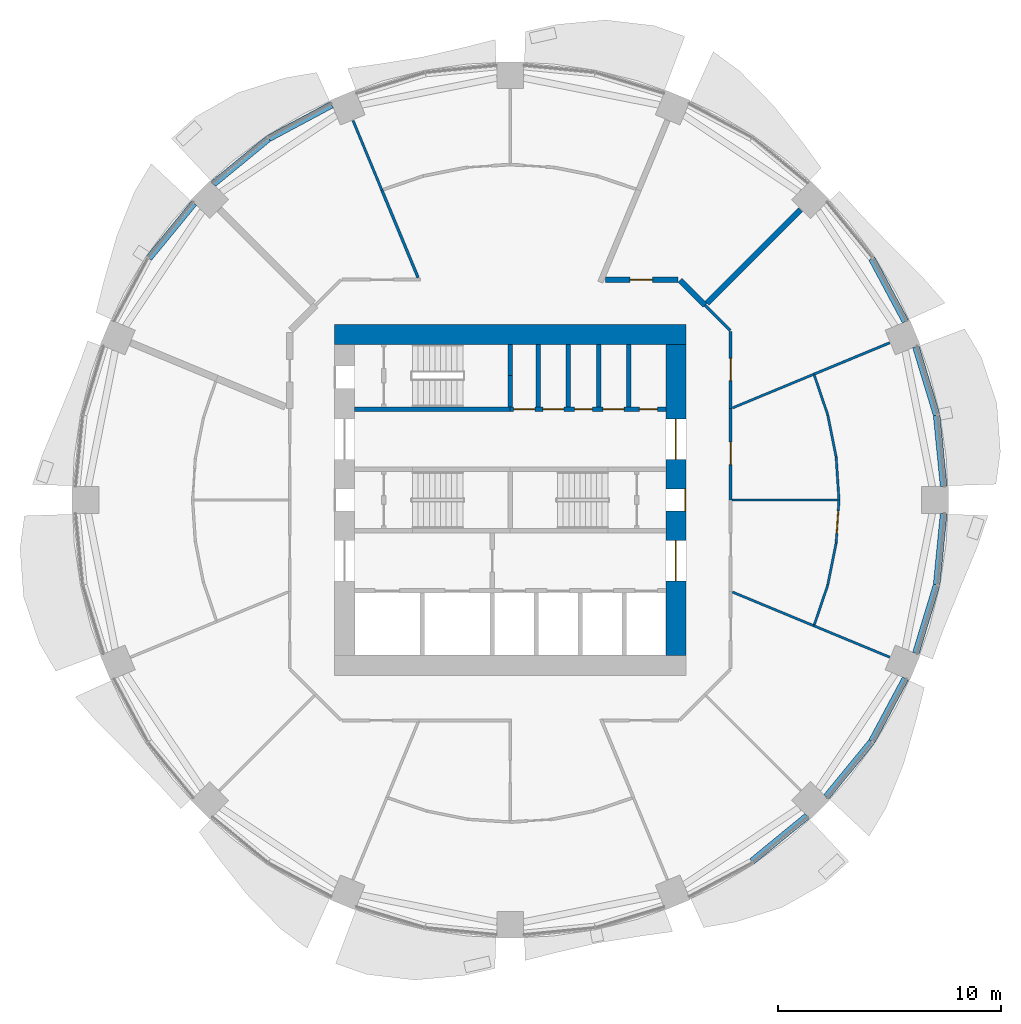
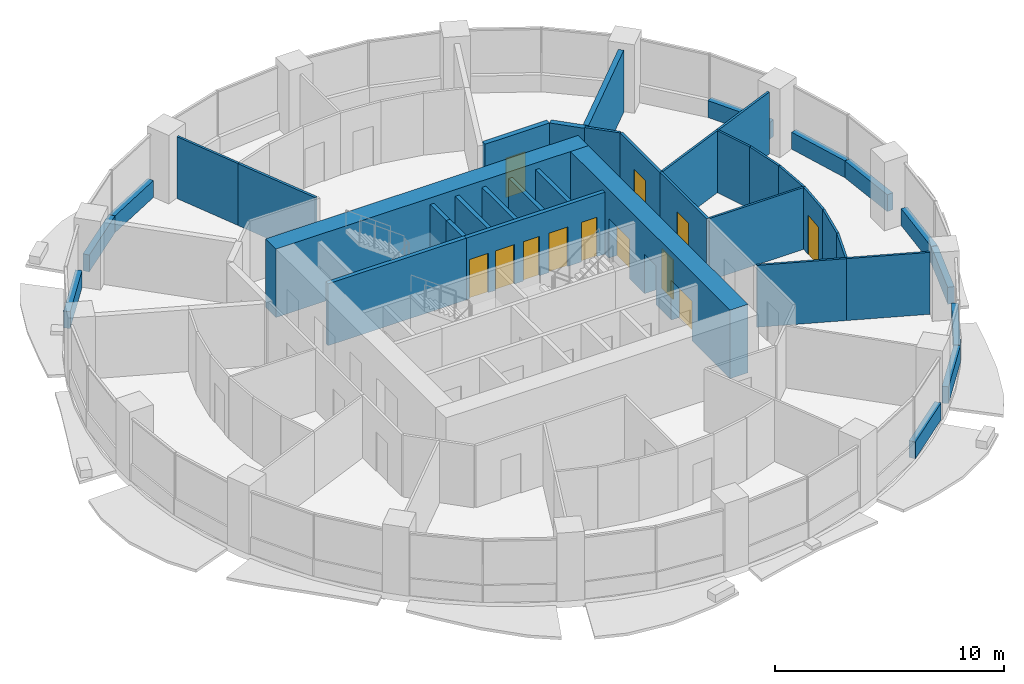
# One storey, part 10 of 15: 40 walls, 12 doors, 12 openings.
"""IFC4 building model written with IfcOpenShell, lengths in metres."""

from ifc_helpers import new_model, si_unit, direction, frame, frame_2d, origin, place, context, subcontext, project, spatial, rectangle, extrude, material, layer, layer_set, type_object, element, fill, save


model = new_model("IFC4")

# Units and contexts
model_context = context("Model", 3, precision=1e-05, world=origin(), true_north=direction((0.0, 1.0)))
body_context = subcontext(model_context, "Body", "Model", "MODEL_VIEW")
ifc_project = project(units=[si_unit("LENGTHUNIT", "METRE"), si_unit("AREAUNIT", "SQUARE_METRE"), si_unit("VOLUMEUNIT", "CUBIC_METRE"), si_unit("PLANEANGLEUNIT", "RADIAN"), si_unit("MASSUNIT", "GRAM", prefix="KILO")], contexts=[model_context])

# Site, building, storey
site_placement = place(None, origin())
site = spatial("IfcSite", under=ifc_project, at=site_placement, CompositionType="ELEMENT")
building_placement = place(site_placement, origin())
building = spatial("IfcBuilding", under=site, at=building_placement, Name="Polderwave Tower", CompositionType="ELEMENT")
storey_placement = place(building_placement, frame((0.0, 0.0, 51.75)))
storey = spatial("IfcBuildingStorey", under=building, at=storey_placement, Name="L13", CompositionType="ELEMENT", Elevation=51.75)

# Wall
ifc_material_1 = material(Name="Concrete C80/95", Category="concrete")
ifc_layer_1 = layer(ifc_material_1, 0.89990234375)
ifc_layer_set_1 = layer_set([ifc_layer_1], Name="CORE WALL 900 C80/95")
wall_type_1 = type_object("IfcWallType", Name="CORE WALL 900 C80/95", PredefinedType="SHEAR", material=ifc_layer_set_1)
wall_1_placement = place(storey_placement, frame((-7.8740234375, 7.424072265625, 0.0), z_axis=(0.0, 0.0, 1.0), x_axis=(1.0, 0.0, 0.0)))
element("IfcWall", 1, at=wall_1_placement, inside=storey, type_object=wall_type_1, Name="ST-CORE-L13-N", PredefinedType="SHEAR", context=body_context, shape_type="SweptSolid", body=[
    extrude(rectangle(XDim=15.748046875, YDim=0.89990234375, at=frame_2d((7.8740234375, 0.0))), origin(), (0.0, 0.0, 1.0), 3.64990234375),
])

# Wall, openings, doors
wall_2_placement = place(storey_placement, frame((7.424072265625, -6.97412109375, 0.0), z_axis=(0.0, 0.0, 1.0), x_axis=(0.0, 1.0, 0.0)))
wall_2 = element("IfcWall", 2, at=wall_2_placement, inside=storey, type_object=wall_type_1, Name="ST-CORE-L13-E", PredefinedType="SHEAR", context=body_context, shape_type="SweptSolid", body=[
    extrude(rectangle(XDim=13.9482421875, YDim=0.89990234375, at=frame_2d((6.97412109375, 0.0))), origin(), (0.0, 0.0, 1.0), 3.64990234375),
])
opening_1_placement = place(wall_2_placement, frame((6.47412109375, 0.0, 0.0)))
opening_1 = element("IfcOpeningElement", 3, at=opening_1_placement, cuts=wall_2, Name="Opening L13-D23", PredefinedType="OPENING", context=body_context, shape_type="SweptSolid", body=[
    extrude(rectangle(XDim=1.0, YDim=2.10009765625, at=frame_2d((0.5, 1.050048828125))), frame((0.0, 0.4599609375, 0.0), z_axis=(0.0, -1.0, 0.0), x_axis=(1.0, 0.0, 0.0)), (0.0, 0.0, 1.0), 0.919921875),
])
opening_2_placement = place(wall_2_placement, frame((3.349609375, 0.0, 0.0)))
opening_2 = element("IfcOpeningElement", 4, at=opening_2_placement, cuts=wall_2, Name="Opening L13-D24", PredefinedType="OPENING", context=body_context, shape_type="SweptSolid", body=[
    extrude(rectangle(XDim=1.800048828125, YDim=2.10009765625, at=frame_2d((0.89990234375, 1.050048828125))), frame((0.0, 0.4599609375, 0.0), z_axis=(0.0, -1.0, 0.0), x_axis=(1.0, 0.0, 0.0)), (0.0, 0.0, 1.0), 0.919921875),
])
opening_3_placement = place(wall_2_placement, frame((8.798583984375, 0.0, 0.0)))
opening_3 = element("IfcOpeningElement", 5, at=opening_3_placement, cuts=wall_2, Name="Opening L13-D25", PredefinedType="OPENING", context=body_context, shape_type="SweptSolid", body=[
    extrude(rectangle(XDim=1.800048828125, YDim=2.10009765625, at=frame_2d((0.89990234375, 1.050048828125))), frame((0.0, 0.4599609375, 0.0), z_axis=(0.0, -1.0, 0.0), x_axis=(1.0, 0.0, 0.0)), (0.0, 0.0, 1.0), 0.919921875),
])
ifc_material_2 = material(Name="Steel fire door", Category="steel")
door_type_1 = type_object("IfcDoorType", Name="Lobby entry door pair 1800", OperationType="DOUBLE_DOOR_SINGLE_SWING", PredefinedType="DOOR", material=ifc_material_2)
door_1_placement = place(opening_2_placement, frame((1.800048828125, 0.0, 0.0), z_axis=(0.0, 0.0, 1.0), x_axis=(-1.0, 0.0, 0.0)))
door_1 = element("IfcDoor", 6, at=door_1_placement, inside=storey, type_object=door_type_1, Name="South lobby entry door", OperationType="DOUBLE_DOOR_SINGLE_SWING", OverallHeight=2.10009765625, OverallWidth=1.800048828125, PredefinedType="DOOR", context=body_context, shape_type="SweptSolid", body=[
    extrude(rectangle(XDim=1.800048828125, YDim=2.10009765625, at=frame_2d((0.89990234375, 1.050048828125))), frame((0.0, 0.02490234375, 0.0), z_axis=(0.0, -1.0, 0.0), x_axis=(1.0, 0.0, 0.0)), (0.0, 0.0, 1.0), 0.050048828125),
])
fill(opening_2, door_1)
door_2_placement = place(opening_3_placement, frame((1.800048828125, 0.0, 0.0), z_axis=(0.0, 0.0, 1.0), x_axis=(-1.0, 0.0, 0.0)))
door_2 = element("IfcDoor", 7, at=door_2_placement, inside=storey, type_object=door_type_1, Name="North lobby entry door", OperationType="DOUBLE_DOOR_SINGLE_SWING", OverallHeight=2.10009765625, OverallWidth=1.800048828125, PredefinedType="DOOR", context=body_context, shape_type="SweptSolid", body=[
    extrude(rectangle(XDim=1.800048828125, YDim=2.10009765625, at=frame_2d((0.89990234375, 1.050048828125))), frame((0.0, 0.02490234375, 0.0), z_axis=(0.0, -1.0, 0.0), x_axis=(1.0, 0.0, 0.0)), (0.0, 0.0, 1.0), 0.050048828125),
])
fill(opening_3, door_2)
door_type_2 = type_object("IfcDoorType", Name="Stair door 1000", OperationType="NOTDEFINED", PredefinedType="DOOR", material=ifc_material_2)
door_3_placement = place(opening_1_placement, frame((1.0, 0.0, 0.0), z_axis=(0.0, 0.0, 1.0), x_axis=(-1.0, 0.0, 0.0)))
door_3 = element("IfcDoor", 8, at=door_3_placement, inside=storey, type_object=door_type_2, Name="Stair B entry door", OperationType="SINGLE_SWING_LEFT", OverallHeight=2.10009765625, OverallWidth=1.0, PredefinedType="DOOR", context=body_context, shape_type="SweptSolid", body=[
    extrude(rectangle(XDim=1.0, YDim=2.10009765625, at=frame_2d((0.5, 1.050048828125))), frame((0.0, 0.4501953125, 0.0), z_axis=(0.0, -1.0, 0.0), x_axis=(1.0, 0.0, 0.0)), (0.0, 0.0, 1.0), 0.050048828125),
])
fill(opening_1, door_3)

# Walls
ifc_material_3 = material(Name="Concrete C50/60 (board-marked)", Category="concrete")
ifc_layer_2 = layer(ifc_material_3, 0.300048828125)
ifc_layer_set_2 = layer_set([ifc_layer_2], Name="Concrete spandrel upstand C50/60")
wall_type_2 = type_object("IfcWallType", Name="Concrete spandrel upstand C50/60", PredefinedType="SOLIDWALL", material=ifc_layer_set_2)
wall_3_placement = place(storey_placement, frame((19.41943359375, 0.61279296875, 0.0), z_axis=(0.0, 0.0, 1.0), x_axis=(-0.097880808755, 0.995198144732, 0.0)))
element("IfcWall", 9, at=wall_3_placement, inside=storey, type_object=wall_type_2, Name="Spandrel L13 1a", PredefinedType="SOLIDWALL", context=body_context, shape_type="SweptSolid", body=[
    extrude(rectangle(XDim=3.187744140625, YDim=0.300048828125, at=frame_2d((1.59375, 0.0))), origin(), (0.0, 0.0, 1.0), 0.89990234375),
])
wall_4_placement = place(storey_placement, frame((19.1015625, 3.814453125, 0.0), z_axis=(0.0, 0.0, 1.0), x_axis=(-0.290585541792, 0.956849017819, 0.0)))
element("IfcWall", 10, at=wall_4_placement, inside=storey, type_object=wall_type_2, Name="Spandrel L13 1b", PredefinedType="SOLIDWALL", context=body_context, shape_type="SweptSolid", body=[
    extrude(rectangle(XDim=3.1875, YDim=0.300048828125, at=frame_2d((1.59375, 0.0))), origin(), (0.0, 0.0, 1.0), 0.89990234375),
])
for number, where, z_axis, x_axis, name in (
    (11, (17.705810546875, 7.998291015625, 0.0), (0.0, 0.0, 1.0), (-0.471260138764, 0.881994263934, 0.0), "Spandrel L13 2a"),
    (12, (-7.998291015625, 17.705810546875, 0.0), (0.0, 0.0, 1.0), (-0.881994263934, -0.471260138764, 0.0), "Spandrel L13 6a"),
):
    element("IfcWall", number, at=place(storey_placement, frame(where, z_axis=z_axis, x_axis=x_axis)), inside=storey, type_object=wall_type_2, Name=name, PredefinedType="SOLIDWALL", context=body_context, shape_type="SweptSolid", body=[
        extrude(rectangle(XDim=3.1865234375, YDim=0.300048828125, at=frame_2d((1.59326171875, 0.0))), origin(), (0.0, 0.0, 1.0), 0.89990234375),
    ])
for number, where, z_axis, x_axis, name in (
    (13, (-10.83349609375, 16.1875, 0.0), (0.0, 0.0, 1.0), (-0.773144618958, -0.634229767652, 0.0), "Spandrel L13 6b"),
    (14, (-14.16552734375, 13.29833984375, 0.0), (0.0, 0.0, 1.0), (-0.634229767652, -0.773144618958, 0.0), "Spandrel L13 7a"),
    (15, (10.83349609375, -16.1875, 0.0), (0.0, 0.0, 1.0), (0.773144618958, 0.634229767652, 0.0), "Spandrel L13 14b"),
    (16, (14.16552734375, -13.29833984375, 0.0), (0.0, 0.0, 1.0), (0.634229767652, 0.773144618958, 0.0), "Spandrel L13 15a"),
):
    element("IfcWall", number, at=place(storey_placement, frame(where, z_axis=z_axis, x_axis=x_axis)), inside=storey, type_object=wall_type_2, Name=name, PredefinedType="SOLIDWALL", context=body_context, shape_type="SweptSolid", body=[
        extrude(rectangle(XDim=3.18798828125, YDim=0.300048828125, at=frame_2d((1.593994140625, 0.0))), origin(), (0.0, 0.0, 1.0), 0.89990234375),
    ])
wall_5_placement = place(storey_placement, frame((16.2041015625, -10.808837890625, 0.0), z_axis=(0.0, 0.0, 1.0), x_axis=(0.471260138764, 0.881994263934, 0.0)))
element("IfcWall", 17, at=wall_5_placement, inside=storey, type_object=wall_type_2, Name="Spandrel L13 15b", PredefinedType="SOLIDWALL", context=body_context, shape_type="SweptSolid", body=[
    extrude(rectangle(XDim=3.1865234375, YDim=0.300048828125, at=frame_2d((1.59326171875, 0.0))), origin(), (0.0, 0.0, 1.0), 0.89990234375),
])
wall_6_placement = place(storey_placement, frame((18.17529296875, -6.864501953125, 0.0), z_axis=(0.0, 0.0, 1.0), x_axis=(0.290585541792, 0.956849017819, 0.0)))
element("IfcWall", 18, at=wall_6_placement, inside=storey, type_object=wall_type_2, Name="Spandrel L13 16a", PredefinedType="SOLIDWALL", context=body_context, shape_type="SweptSolid", body=[
    extrude(rectangle(XDim=3.1875, YDim=0.300048828125, at=frame_2d((1.59375, 0.0))), origin(), (0.0, 0.0, 1.0), 0.89990234375),
])
wall_7_placement = place(storey_placement, frame((19.107421875, -3.78515625, 0.0), z_axis=(0.0, 0.0, 1.0), x_axis=(0.097880808755, 0.995198144732, 0.0)))
element("IfcWall", 19, at=wall_7_placement, inside=storey, type_object=wall_type_2, Name="Spandrel L13 16b", PredefinedType="SOLIDWALL", context=body_context, shape_type="SweptSolid", body=[
    extrude(rectangle(XDim=3.187744140625, YDim=0.300048828125, at=frame_2d((1.59375, 0.0))), origin(), (0.0, 0.0, 1.0), 0.89990234375),
])
ifc_material_4 = material(Name="Gypsum board partition")
ifc_layer_3 = layer(ifc_material_4, 0.199951171875)
ifc_layer_set_3 = layer_set([ifc_layer_3], Name="Core room partition 200")
wall_type_3 = type_object("IfcWallType", Name="Core room partition 200", PredefinedType="PARTITIONING", material=ifc_layer_set_3)
for number, where, z_axis, x_axis, name in (
    (20, (1.260009765625, 4.174072265625, 0.0), (0.0, 0.0, 1.0), (0.0, 1.0, 0.0), "L13 room partition N1"),
    (21, (2.608642578125, 4.174072265625, 0.0), (0.0, 0.0, 1.0), (0.0, 1.0, 0.0), "L13 room partition N2"),
    (22, (3.95703125, 4.174072265625, 0.0), (0.0, 0.0, 1.0), (0.0, 1.0, 0.0), "L13 room partition N3"),
):
    element("IfcWall", number, at=place(storey_placement, frame(where, z_axis=z_axis, x_axis=x_axis)), inside=storey, type_object=wall_type_3, Name=name, PredefinedType="PARTITIONING", context=body_context, shape_type="SweptSolid", body=[
        extrude(rectangle(XDim=2.800048828125, YDim=0.199951171875, at=frame_2d((1.39990234375, 0.0))), origin(), (0.0, 0.0, 1.0), 3.300048828125),
    ])
ifc_material_5 = material(Name="Concrete C50/60", Category="concrete")
ifc_layer_4 = layer(ifc_material_5, 0.199951171875)
ifc_layer_set_4 = layer_set([ifc_layer_4], Name="Core web wall 200")
wall_type_4 = type_object("IfcWallType", Name="Core web wall 200", PredefinedType="SHEAR", material=ifc_layer_set_4)
wall_8_placement = place(storey_placement, frame((-6.97412109375, 4.073974609375, 0.0), z_axis=(0.0, 0.0, 1.0), x_axis=(1.0, 0.0, 0.0)))
element("IfcWall", 23, at=wall_8_placement, inside=storey, type_object=wall_type_4, Name="L13 north front wall 1", PredefinedType="SHEAR", context=body_context, shape_type="SweptSolid", body=[
    extrude(rectangle(XDim=6.97412109375, YDim=0.199951171875, at=frame_2d((3.487060546875, 0.0))), origin(), (0.0, 0.0, 1.0), 3.300048828125),
])

# Wall, openings, doors
wall_9_placement = place(storey_placement, frame((0.0, 4.073974609375, 0.0), z_axis=(0.0, 0.0, 1.0), x_axis=(1.0, 0.0, 0.0)))
wall_9 = element("IfcWall", 24, at=wall_9_placement, inside=storey, type_object=wall_type_4, Name="L13 north front wall 2", PredefinedType="SHEAR", context=body_context, shape_type="SweptSolid", body=[
    extrude(rectangle(XDim=6.97412109375, YDim=0.199951171875, at=frame_2d((3.487060546875, 0.0))), origin(), (0.0, 0.0, 1.0), 3.300048828125),
])
opening_4_placement = place(wall_9_placement, frame((0.155029296875, 0.0, 0.0)))
opening_4 = element("IfcOpeningElement", 25, at=opening_4_placement, cuts=wall_9, Name="Opening L13-D14", PredefinedType="OPENING", context=body_context, shape_type="SweptSolid", body=[
    extrude(rectangle(XDim=0.949951171875, YDim=2.10009765625, at=frame_2d((0.47509765625, 1.050048828125))), frame((0.0, 0.10986328125, 0.0), z_axis=(0.0, -1.0, 0.0), x_axis=(1.0, 0.0, 0.0)), (0.0, 0.0, 1.0), 0.219970703125),
])
opening_5_placement = place(wall_9_placement, frame((1.459228515625, 0.0, 0.0)))
opening_5 = element("IfcOpeningElement", 26, at=opening_5_placement, cuts=wall_9, Name="Opening L13-D15", PredefinedType="OPENING", context=body_context, shape_type="SweptSolid", body=[
    extrude(rectangle(XDim=0.949951171875, YDim=2.10009765625, at=frame_2d((0.47509765625, 1.050048828125))), frame((0.0, 0.10986328125, 0.0), z_axis=(0.0, -1.0, 0.0), x_axis=(1.0, 0.0, 0.0)), (0.0, 0.0, 1.0), 0.219970703125),
])
opening_6_placement = place(wall_9_placement, frame((2.8828125, 0.0, 0.0)))
opening_6 = element("IfcOpeningElement", 27, at=opening_6_placement, cuts=wall_9, Name="Opening L13-D16", PredefinedType="OPENING", context=body_context, shape_type="SweptSolid", body=[
    extrude(rectangle(XDim=0.800048828125, YDim=2.10009765625, at=frame_2d((0.39990234375, 1.050048828125))), frame((0.0, 0.10986328125, 0.0), z_axis=(0.0, -1.0, 0.0), x_axis=(1.0, 0.0, 0.0)), (0.0, 0.0, 1.0), 0.219970703125),
])
opening_7_placement = place(wall_9_placement, frame((4.15625, 0.0, 0.0)))
opening_7 = element("IfcOpeningElement", 28, at=opening_7_placement, cuts=wall_9, Name="Opening L13-D17", PredefinedType="OPENING", context=body_context, shape_type="SweptSolid", body=[
    extrude(rectangle(XDim=0.949951171875, YDim=2.10009765625, at=frame_2d((0.47509765625, 1.050048828125))), frame((0.0, 0.10986328125, 0.0), z_axis=(0.0, -1.0, 0.0), x_axis=(1.0, 0.0, 0.0)), (0.0, 0.0, 1.0), 0.219970703125),
])
opening_8_placement = place(wall_9_placement, frame((5.789794921875, 0.0, 0.0)))
opening_8 = element("IfcOpeningElement", 29, at=opening_8_placement, cuts=wall_9, Name="Opening L13-D18", PredefinedType="OPENING", context=body_context, shape_type="SweptSolid", body=[
    extrude(rectangle(XDim=0.800048828125, YDim=2.10009765625, at=frame_2d((0.39990234375, 1.050048828125))), frame((0.0, 0.10986328125, 0.0), z_axis=(0.0, -1.0, 0.0), x_axis=(1.0, 0.0, 0.0)), (0.0, 0.0, 1.0), 0.219970703125),
])
door_type_3 = type_object("IfcDoorType", Name="Riser door 800", OperationType="NOTDEFINED", PredefinedType="DOOR", material=ifc_material_2)
door_4_placement = place(opening_6_placement, frame((0.800048828125, 0.0, 0.0), z_axis=(0.0, 0.0, 1.0), x_axis=(-1.0, 0.0, 0.0)))
door_4 = element("IfcDoor", 30, at=door_4_placement, inside=storey, type_object=door_type_3, Name="Electrical room door", OperationType="SINGLE_SWING_RIGHT", OverallHeight=2.10009765625, OverallWidth=0.800048828125, PredefinedType="DOOR", context=body_context, shape_type="SweptSolid", body=[
    extrude(rectangle(XDim=0.800048828125, YDim=2.10009765625, at=frame_2d((0.39990234375, 1.050048828125))), frame((0.0, 0.02490234375, 0.0), z_axis=(0.0, -1.0, 0.0), x_axis=(1.0, 0.0, 0.0)), (0.0, 0.0, 1.0), 0.050048828125),
])
fill(opening_6, door_4)
door_5_placement = place(opening_8_placement, frame((0.800048828125, 0.0, 0.0), z_axis=(0.0, 0.0, 1.0), x_axis=(-1.0, 0.0, 0.0)))
door_5 = element("IfcDoor", 31, at=door_5_placement, inside=storey, type_object=door_type_3, Name="Riser door", OperationType="SINGLE_SWING_LEFT", OverallHeight=2.10009765625, OverallWidth=0.800048828125, PredefinedType="DOOR", context=body_context, shape_type="SweptSolid", body=[
    extrude(rectangle(XDim=0.800048828125, YDim=2.10009765625, at=frame_2d((0.39990234375, 1.050048828125))), frame((0.0, 0.02490234375, 0.0), z_axis=(0.0, -1.0, 0.0), x_axis=(1.0, 0.0, 0.0)), (0.0, 0.0, 1.0), 0.050048828125),
])
fill(opening_8, door_5)
ifc_material_6 = material(Name="Timber door leaf", Category="wood")
door_type_4 = type_object("IfcDoorType", Name="Room door 950", OperationType="NOTDEFINED", PredefinedType="DOOR", material=ifc_material_6)
door_6_placement = place(opening_4_placement, origin())
door_6 = element("IfcDoor", 32, at=door_6_placement, inside=storey, type_object=door_type_4, Name="Staff WC door", OperationType="SINGLE_SWING_LEFT", OverallHeight=2.10009765625, OverallWidth=0.949951171875, PredefinedType="DOOR", context=body_context, shape_type="SweptSolid", body=[
    extrude(rectangle(XDim=0.949951171875, YDim=2.10009765625, at=frame_2d((0.47509765625, 1.050048828125))), frame((0.0, 0.02490234375, 0.0), z_axis=(0.0, -1.0, 0.0), x_axis=(1.0, 0.0, 0.0)), (0.0, 0.0, 1.0), 0.050048828125),
])
fill(opening_4, door_6)
door_7_placement = place(opening_5_placement, origin())
door_7 = element("IfcDoor", 33, at=door_7_placement, inside=storey, type_object=door_type_4, Name="Refuse store door", OperationType="SINGLE_SWING_LEFT", OverallHeight=2.10009765625, OverallWidth=0.949951171875, PredefinedType="DOOR", context=body_context, shape_type="SweptSolid", body=[
    extrude(rectangle(XDim=0.949951171875, YDim=2.10009765625, at=frame_2d((0.47509765625, 1.050048828125))), frame((0.0, 0.02490234375, 0.0), z_axis=(0.0, -1.0, 0.0), x_axis=(1.0, 0.0, 0.0)), (0.0, 0.0, 1.0), 0.050048828125),
])
fill(opening_5, door_7)
door_8_placement = place(opening_7_placement, origin())
door_8 = element("IfcDoor", 34, at=door_8_placement, inside=storey, type_object=door_type_4, Name="Seed store door", OperationType="SINGLE_SWING_RIGHT", OverallHeight=2.10009765625, OverallWidth=0.949951171875, PredefinedType="DOOR", context=body_context, shape_type="SweptSolid", body=[
    extrude(rectangle(XDim=0.949951171875, YDim=2.10009765625, at=frame_2d((0.47509765625, 1.050048828125))), frame((0.0, 0.02490234375, 0.0), z_axis=(0.0, -1.0, 0.0), x_axis=(1.0, 0.0, 0.0)), (0.0, 0.0, 1.0), 0.050048828125),
])
fill(opening_7, door_8)

# Walls
wall_10_placement = place(storey_placement, frame((0.0, 4.174072265625, 0.0), z_axis=(0.0, 0.0, 1.0), x_axis=(0.0, 1.0, 0.0)))
element("IfcWall", 35, at=wall_10_placement, inside=storey, type_object=wall_type_4, Name="L13 stair C wall south", PredefinedType="SHEAR", context=body_context, shape_type="SweptSolid", body=[
    extrude(rectangle(XDim=1.39990234375, YDim=0.199951171875, at=frame_2d((0.699951171875, 0.0))), origin(), (0.0, 0.0, 1.0), 3.300048828125),
])
wall_11_placement = place(storey_placement, frame((0.0, 5.573974609375, 0.0), z_axis=(0.0, 0.0, 1.0), x_axis=(0.0, 1.0, 0.0)))
element("IfcWall", 36, at=wall_11_placement, inside=storey, type_object=wall_type_4, Name="L13 stair C wall north", PredefinedType="SHEAR", context=body_context, shape_type="SweptSolid", body=[
    extrude(rectangle(XDim=1.400146484375, YDim=0.199951171875, at=frame_2d((0.7001953125, 0.0))), origin(), (0.0, 0.0, 1.0), 3.300048828125),
])

# Wall, opening, door
ifc_material_7 = material(Name="Fire-resisting board on steel studs", Category="steel")
ifc_layer_5 = layer(ifc_material_7, 0.125)
ifc_layer_set_5 = layer_set([ifc_layer_5], Name="Corridor wall 125 mm EI 60")
wall_type_5 = type_object("IfcWallType", Name="Corridor wall 125 mm EI 60", PredefinedType="PARTITIONING", material=ifc_layer_set_5)
wall_12_placement = place(storey_placement, frame((9.8740234375, 4.08984375, 0.0), z_axis=(0.0, 0.0, 1.0), x_axis=(0.0, -1.0, 0.0)))
wall_12 = element("IfcWall", 37, at=wall_12_placement, inside=storey, type_object=wall_type_5, Name="IN-L13-W001", PredefinedType="PARTITIONING", context=body_context, shape_type="SweptSolid", body=[
    extrude(rectangle(XDim=4.08984375, YDim=0.125, at=frame_2d((2.044921875, 0.0))), origin(), (0.0, 0.0, 1.0), 3.300048828125),
])
opening_9_placement = place(wall_12_placement, frame((1.5, 0.0, 0.0)))
opening_9 = element("IfcOpeningElement", 38, at=opening_9_placement, cuts=wall_12, Name="Opening L13-D50", PredefinedType="OPENING", context=body_context, shape_type="SweptSolid", body=[
    extrude(rectangle(XDim=1.0, YDim=2.10009765625, at=frame_2d((0.5, 1.050048828125))), frame((0.0, 0.072509765625, 0.0), z_axis=(0.0, -1.0, 0.0), x_axis=(1.0, 0.0, 0.0)), (0.0, 0.0, 1.0), 0.14501953125),
])
ifc_material_8 = material(Name="Timber fire door leaf", Category="wood")
door_type_5 = type_object("IfcDoorType", Name="Fire door FD30S 1000 x 2100", OperationType="NOTDEFINED", PredefinedType="DOOR", material=ifc_material_8)
door_9_placement = place(opening_9_placement, origin())
door_9 = element("IfcDoor", 39, at=door_9_placement, inside=storey, type_object=door_type_5, Name="Door L13-D50", OperationType="SINGLE_SWING_LEFT", OverallHeight=2.10009765625, OverallWidth=1.0, PredefinedType="DOOR", context=body_context, shape_type="SweptSolid", body=[
    extrude(rectangle(XDim=1.0, YDim=2.10009765625, at=frame_2d((0.5, 1.050048828125))), frame((0.0, 0.02490234375, 0.0), z_axis=(0.0, -1.0, 0.0), x_axis=(1.0, 0.0, 0.0)), (0.0, 0.0, 1.0), 0.050048828125),
])
fill(opening_9, door_9)

# Wall
wall_13_placement = place(storey_placement, frame((8.722412109375, 8.722412109375, 0.0), z_axis=(0.0, 0.0, 1.0), x_axis=(0.70718294931, -0.707030604857, 0.0)))
element("IfcWall", 40, at=wall_13_placement, inside=storey, type_object=wall_type_5, Name="IN-L13-W002", PredefinedType="PARTITIONING", context=body_context, shape_type="SweptSolid", body=[
    extrude(rectangle(XDim=1.6025390625, YDim=0.125, at=frame_2d((0.80126953125, 0.0))), origin(), (0.0, 0.0, 1.0), 3.300048828125),
])

# Wall, opening, door
wall_14_placement = place(storey_placement, frame((9.8740234375, 7.545166015625, 0.0), z_axis=(0.0, 0.0, 1.0), x_axis=(0.0, -1.0, 0.0)))
wall_14 = element("IfcWall", 41, at=wall_14_placement, inside=storey, type_object=wall_type_5, Name="IN-L13-W003", PredefinedType="PARTITIONING", context=body_context, shape_type="SweptSolid", body=[
    extrude(rectangle(XDim=3.455322265625, YDim=0.125, at=frame_2d((1.7275390625, 0.0))), origin(), (0.0, 0.0, 1.0), 3.300048828125),
])
opening_10_placement = place(wall_14_placement, frame((1.199951171875, 0.0, 0.0)))
opening_10 = element("IfcOpeningElement", 42, at=opening_10_placement, cuts=wall_14, Name="Opening L13-D51", PredefinedType="OPENING", context=body_context, shape_type="SweptSolid", body=[
    extrude(rectangle(XDim=1.0, YDim=2.10009765625, at=frame_2d((0.5, 1.050048828125))), frame((0.0, 0.072509765625, 0.0), z_axis=(0.0, -1.0, 0.0), x_axis=(1.0, 0.0, 0.0)), (0.0, 0.0, 1.0), 0.14501953125),
])
door_10_placement = place(opening_10_placement, origin())
door_10 = element("IfcDoor", 43, at=door_10_placement, inside=storey, type_object=door_type_5, Name="Door L13-D51", OperationType="SINGLE_SWING_LEFT", OverallHeight=2.10009765625, OverallWidth=1.0, PredefinedType="DOOR", context=body_context, shape_type="SweptSolid", body=[
    extrude(rectangle(XDim=1.0, YDim=2.10009765625, at=frame_2d((0.5, 1.050048828125))), frame((0.0, 0.02490234375, 0.0), z_axis=(0.0, -1.0, 0.0), x_axis=(1.0, 0.0, 0.0)), (0.0, 0.0, 1.0), 0.050048828125),
])
fill(opening_10, door_10)

# Walls
wall_15_placement = place(storey_placement, frame((-4.125732421875, 9.96044921875, 0.0), z_axis=(0.0, 0.0, 1.0), x_axis=(-0.382676572561, 0.923882373905, 0.0)))
element("IfcWall", 44, at=wall_15_placement, inside=storey, type_object=wall_type_5, Name="IN-L13-W042", PredefinedType="PARTITIONING", context=body_context, shape_type="SweptSolid", body=[
    extrude(rectangle(XDim=4.2490234375, YDim=0.125, at=frame_2d((2.12451171875, 0.0))), origin(), (0.0, 0.0, 1.0), 3.300048828125),
])
ifc_material_9 = material(Name="Moisture-resistant board on steel studs, tiled", Category="steel")
ifc_layer_6 = layer(ifc_material_9, 0.10498046875)
ifc_layer_set_6 = layer_set([ifc_layer_6], Name="Partition 105 mm wet room board and tile")
wall_type_6 = type_object("IfcWallType", Name="Partition 105 mm wet room board and tile", PredefinedType="PARTITIONING", material=ifc_layer_set_6)
wall_16_placement = place(storey_placement, frame((14.22705078125, 3.815673828125, 0.0), z_axis=(0.0, 0.0, 1.0), x_axis=(-0.321447308071, 0.946927467198, 0.0)))
element("IfcWall", 45, at=wall_16_placement, inside=storey, type_object=wall_type_6, Name="IN-L13-W022", PredefinedType="PARTITIONING", context=body_context, shape_type="SweptSolid", body=[
    extrude(rectangle(XDim=1.864501953125, YDim=0.10498046875, at=frame_2d((0.93212890625, 0.0))), origin(), (0.0, 0.0, 1.0), 3.300048828125),
])
wall_17_placement = place(storey_placement, frame((14.603271484375, 1.926025390625, 0.0), z_axis=(0.0, 0.0, 1.0), x_axis=(-0.195064501273, 0.980790416115, 0.0)))
element("IfcWall", 46, at=wall_17_placement, inside=storey, type_object=wall_type_6, Name="IN-L13-W023", PredefinedType="PARTITIONING", context=body_context, shape_type="SweptSolid", body=[
    extrude(rectangle(XDim=1.919921875, YDim=0.10498046875, at=frame_2d((0.9599609375, 0.0))), origin(), (0.0, 0.0, 1.0), 3.300048828125),
])
wall_18_placement = place(storey_placement, frame((14.72998046875, 0.0, 0.0), z_axis=(0.0, 0.0, 1.0), x_axis=(-0.065373153171, 0.997860887521, 0.0)))
element("IfcWall", 47, at=wall_18_placement, inside=storey, type_object=wall_type_6, Name="IN-L13-W024", PredefinedType="PARTITIONING", context=body_context, shape_type="SweptSolid", body=[
    extrude(rectangle(XDim=1.92333984375, YDim=0.10498046875, at=frame_2d((0.961669921875, 0.0))), origin(), (0.0, 0.0, 1.0), 3.300048828125),
])
wall_19_placement = place(storey_placement, frame((16.99951171875, -7.04150390625, 0.0), z_axis=(0.0, 0.0, 1.0), x_axis=(-0.923870076355, 0.382706260748, 0.0)))
element("IfcWall", 48, at=wall_19_placement, inside=storey, type_object=wall_type_6, Name="IN-L13-W026", PredefinedType="PARTITIONING", context=body_context, shape_type="SweptSolid", body=[
    extrude(rectangle(XDim=3.669921875, YDim=0.10498046875, at=frame_2d((1.8349609375, 0.0))), origin(), (0.0, 0.0, 1.0), 3.300048828125),
])
wall_20_placement = place(storey_placement, frame((13.626708984375, -5.583740234375, 0.0), z_axis=(0.0, 0.0, 1.0), x_axis=(0.321518280944, 0.946903371532, 0.0)))
element("IfcWall", 49, at=wall_20_placement, inside=storey, type_object=wall_type_6, Name="IN-L13-W027", PredefinedType="PARTITIONING", context=body_context, shape_type="SweptSolid", body=[
    extrude(rectangle(XDim=1.8671875, YDim=0.10498046875, at=frame_2d((0.93359375, 0.0))), origin(), (0.0, 0.0, 1.0), 3.300048828125),
])
wall_21_placement = place(storey_placement, frame((14.228759765625, -3.80908203125, 0.0), z_axis=(0.0, 0.0, 1.0), x_axis=(0.195064501273, 0.980790416115, 0.0)))
element("IfcWall", 50, at=wall_21_placement, inside=storey, type_object=wall_type_6, Name="IN-L13-W028", PredefinedType="PARTITIONING", context=body_context, shape_type="SweptSolid", body=[
    extrude(rectangle(XDim=1.919921875, YDim=0.10498046875, at=frame_2d((0.9599609375, 0.0))), origin(), (0.0, 0.0, 1.0), 3.300048828125),
])

# Wall, opening, door
wall_22_placement = place(storey_placement, frame((14.72998046875, 0.0, 0.0), z_axis=(0.0, 0.0, 1.0), x_axis=(-0.065373153171, -0.997860887521, 0.0)))
wall_22 = element("IfcWall", 51, at=wall_22_placement, inside=storey, type_object=wall_type_6, Name="IN-L13-W029", PredefinedType="PARTITIONING", context=body_context, shape_type="SweptSolid", body=[
    extrude(rectangle(XDim=1.92333984375, YDim=0.10498046875, at=frame_2d((0.961669921875, 0.0))), origin(), (0.0, 0.0, 1.0), 3.300048828125),
])
opening_11_placement = place(wall_22_placement, frame((0.5, 0.0, 0.0)))
opening_11 = element("IfcOpeningElement", 52, at=opening_11_placement, cuts=wall_22, Name="Opening L13-D62", PredefinedType="OPENING", context=body_context, shape_type="SweptSolid", body=[
    extrude(rectangle(XDim=1.0, YDim=2.10009765625, at=frame_2d((0.5, 1.050048828125))), frame((0.0, 0.0625, 0.0), z_axis=(0.0, -1.0, 0.0), x_axis=(1.0, 0.0, 0.0)), (0.0, 0.0, 1.0), 0.125),
])
ifc_material_10 = material(Name="Timber veneer door leaf", Category="wood")
door_type_6 = type_object("IfcDoorType", Name="Single door 1000 x 2100", OperationType="NOTDEFINED", PredefinedType="DOOR", material=ifc_material_10)
door_11_placement = place(opening_11_placement, origin())
door_11 = element("IfcDoor", 53, at=door_11_placement, inside=storey, type_object=door_type_6, Name="Door L13-D62", OperationType="SINGLE_SWING_RIGHT", OverallHeight=2.10009765625, OverallWidth=1.0, PredefinedType="DOOR", context=body_context, shape_type="SweptSolid", body=[
    extrude(rectangle(XDim=1.0, YDim=2.10009765625, at=frame_2d((0.5, 1.050048828125))), frame((0.0, 0.02490234375, 0.0), z_axis=(0.0, -1.0, 0.0), x_axis=(1.0, 0.0, 0.0)), (0.0, 0.0, 1.0), 0.050048828125),
])
fill(opening_11, door_11)

# Walls
wall_23_placement = place(storey_placement, frame((9.95654296875, 4.1240234375, 0.0), z_axis=(0.0, 0.0, 1.0), x_axis=(0.923862514877, 0.382724513985, 0.0)))
element("IfcWall", 54, at=wall_23_placement, inside=storey, type_object=wall_type_6, Name="IN-L13-W030", PredefinedType="PARTITIONING", context=body_context, shape_type="SweptSolid", body=[
    extrude(rectangle(XDim=3.953125, YDim=0.10498046875, at=frame_2d((1.9765625, 0.0))), origin(), (0.0, 0.0, 1.0), 3.300048828125),
])
wall_24_placement = place(storey_placement, frame((14.673828125, 0.0, 0.0), z_axis=(0.0, 0.0, 1.0), x_axis=(-1.0, 0.0, 0.0)))
element("IfcWall", 55, at=wall_24_placement, inside=storey, type_object=wall_type_6, Name="IN-L13-W031", PredefinedType="PARTITIONING", context=body_context, shape_type="SweptSolid", body=[
    extrude(rectangle(XDim=4.7373046875, YDim=0.10498046875, at=frame_2d((2.36865234375, 0.0))), origin(), (0.0, 0.0, 1.0), 3.300048828125),
])
wall_25_placement = place(storey_placement, frame((9.95654296875, -4.1240234375, 0.0), z_axis=(0.0, 0.0, 1.0), x_axis=(0.923871560536, -0.38270267785, 0.0)))
element("IfcWall", 56, at=wall_25_placement, inside=storey, type_object=wall_type_6, Name="IN-L13-W069", PredefinedType="PARTITIONING", context=body_context, shape_type="SweptSolid", body=[
    extrude(rectangle(XDim=3.953369140625, YDim=0.10498046875, at=frame_2d((1.9765625, 0.0))), origin(), (0.0, 0.0, 1.0), 3.300048828125),
])
ifc_material_11 = material(Name="Acoustic double plasterboard on steel studs", Category="steel")
ifc_layer_7 = layer(ifc_material_11, 0.110107421875)
ifc_layer_set_7 = layer_set([ifc_layer_7], Name="Partition 110 mm acoustic double board")
wall_type_7 = type_object("IfcWallType", Name="Partition 110 mm acoustic double board", PredefinedType="PARTITIONING", material=ifc_layer_set_7)
wall_26_placement = place(storey_placement, frame((13.60888671875, 5.636962890625, 0.0), z_axis=(0.0, 0.0, 1.0), x_axis=(0.923870076355, 0.382706260748, 0.0)))
element("IfcWall", 57, at=wall_26_placement, inside=storey, type_object=wall_type_7, Name="IN-L13-W025", PredefinedType="PARTITIONING", context=body_context, shape_type="SweptSolid", body=[
    extrude(rectangle(XDim=3.669921875, YDim=0.110107421875, at=frame_2d((1.8349609375, 0.0))), origin(), (0.0, 0.0, 1.0), 3.300048828125),
])
wall_27_placement = place(storey_placement, frame((-5.751708984375, 13.885986328125, 0.0), z_axis=(0.0, 0.0, 1.0), x_axis=(-0.382716478617, 0.923865843613, 0.0)))
element("IfcWall", 58, at=wall_27_placement, inside=storey, type_object=wall_type_7, Name="IN-L13-W043", PredefinedType="PARTITIONING", context=body_context, shape_type="SweptSolid", body=[
    extrude(rectangle(XDim=3.3701171875, YDim=0.110107421875, at=frame_2d((1.68505859375, 0.0))), origin(), (0.0, 0.0, 1.0), 3.300048828125),
])

# Wall, opening, door
ifc_material_12 = material(Name="Fire-resisting board on steel studs, mineral wool", Category="steel")
ifc_layer_8 = layer(ifc_material_12, 0.25)
ifc_layer_set_8 = layer_set([ifc_layer_8], Name="Plant room wall 250 mm EI 120")
wall_type_8 = type_object("IfcWallType", Name="Plant room wall 250 mm EI 120", PredefinedType="PARTITIONING", material=ifc_layer_set_8)
wall_28_placement = place(storey_placement, frame((4.277099609375, 9.8740234375, 0.0), z_axis=(0.0, 0.0, 1.0), x_axis=(1.0, 0.0, 0.0)))
wall_28 = element("IfcWall", 59, at=wall_28_placement, inside=storey, type_object=wall_type_8, Name="IN-L13-W007", PredefinedType="PARTITIONING", context=body_context, shape_type="SweptSolid", body=[
    extrude(rectangle(XDim=3.2421875, YDim=0.25, at=frame_2d((1.62109375, 0.0))), origin(), (0.0, 0.0, 1.0), 3.300048828125),
])
opening_12_placement = place(wall_28_placement, frame((1.10009765625, 0.0, 0.0)))
opening_12 = element("IfcOpeningElement", 60, at=opening_12_placement, cuts=wall_28, Name="Opening L13-D54", PredefinedType="OPENING", context=body_context, shape_type="SweptSolid", body=[
    extrude(rectangle(XDim=1.0, YDim=2.10009765625, at=frame_2d((0.5, 1.050048828125))), frame((0.0, 0.135009765625, 0.0), z_axis=(0.0, -1.0, 0.0), x_axis=(1.0, 0.0, 0.0)), (0.0, 0.0, 1.0), 0.27001953125),
])
ifc_material_13 = material(Name="Steel plant door leaf", Category="steel")
door_type_7 = type_object("IfcDoorType", Name="Plant door FD60 1000 x 2100 steel", OperationType="NOTDEFINED", PredefinedType="DOOR", material=ifc_material_13)
door_12_placement = place(opening_12_placement, origin())
door_12 = element("IfcDoor", 61, at=door_12_placement, inside=storey, type_object=door_type_7, Name="Door L13-D54", OperationType="SINGLE_SWING_LEFT", OverallHeight=2.10009765625, OverallWidth=1.0, PredefinedType="DOOR", context=body_context, shape_type="SweptSolid", body=[
    extrude(rectangle(XDim=1.0, YDim=2.10009765625, at=frame_2d((0.5, 1.050048828125))), frame((0.0, 0.02490234375, 0.0), z_axis=(0.0, -1.0, 0.0), x_axis=(1.0, 0.0, 0.0)), (0.0, 0.0, 1.0), 0.050048828125),
])
fill(opening_12, door_12)

# Walls
wall_29_placement = place(storey_placement, frame((7.607666015625, 9.83740234375, 0.0), z_axis=(0.0, 0.0, 1.0), x_axis=(0.707029353672, -0.707184200224, 0.0)))
element("IfcWall", 62, at=wall_29_placement, inside=storey, type_object=wall_type_8, Name="IN-L13-W008", PredefinedType="PARTITIONING", context=body_context, shape_type="SweptSolid", body=[
    extrude(rectangle(XDim=1.57666015625, YDim=0.25, at=frame_2d((0.788330078125, 0.0))), origin(), (0.0, 0.0, 1.0), 3.300048828125),
])
wall_30_placement = place(storey_placement, frame((13.0107421875, 13.0107421875, 0.0), z_axis=(0.0, 0.0, 1.0), x_axis=(-0.707106781187, -0.707106781187, 0.0)))
element("IfcWall", 63, at=wall_30_placement, inside=storey, type_object=wall_type_8, Name="IN-L13-W032", PredefinedType="PARTITIONING", context=body_context, shape_type="SweptSolid", body=[
    extrude(rectangle(XDim=5.939697265625, YDim=0.25, at=frame_2d((2.9697265625, 0.0))), origin(), (0.0, 0.0, 1.0), 3.300048828125),
])
ifc_material_14 = material(Name="Gypsum shaft wall system")
ifc_layer_9 = layer(ifc_material_14, 0.199951171875)
ifc_layer_set_9 = layer_set([ifc_layer_9], Name="Shaft wall 200")
wall_type_9 = type_object("IfcWallType", Name="Shaft wall 200", PredefinedType="PARTITIONING", material=ifc_layer_set_9)
wall_31_placement = place(storey_placement, frame((5.305419921875, 4.174072265625, 0.0), z_axis=(0.0, 0.0, 1.0), x_axis=(0.0, 1.0, 0.0)))
element("IfcWall", 64, at=wall_31_placement, inside=storey, type_object=wall_type_9, Name="L13 riser wall", PredefinedType="PARTITIONING", context=body_context, shape_type="SweptSolid", body=[
    extrude(rectangle(XDim=2.800048828125, YDim=0.199951171875, at=frame_2d((1.39990234375, 0.0))), origin(), (0.0, 0.0, 1.0), 3.300048828125),
])

save(model, "model.ifc")
